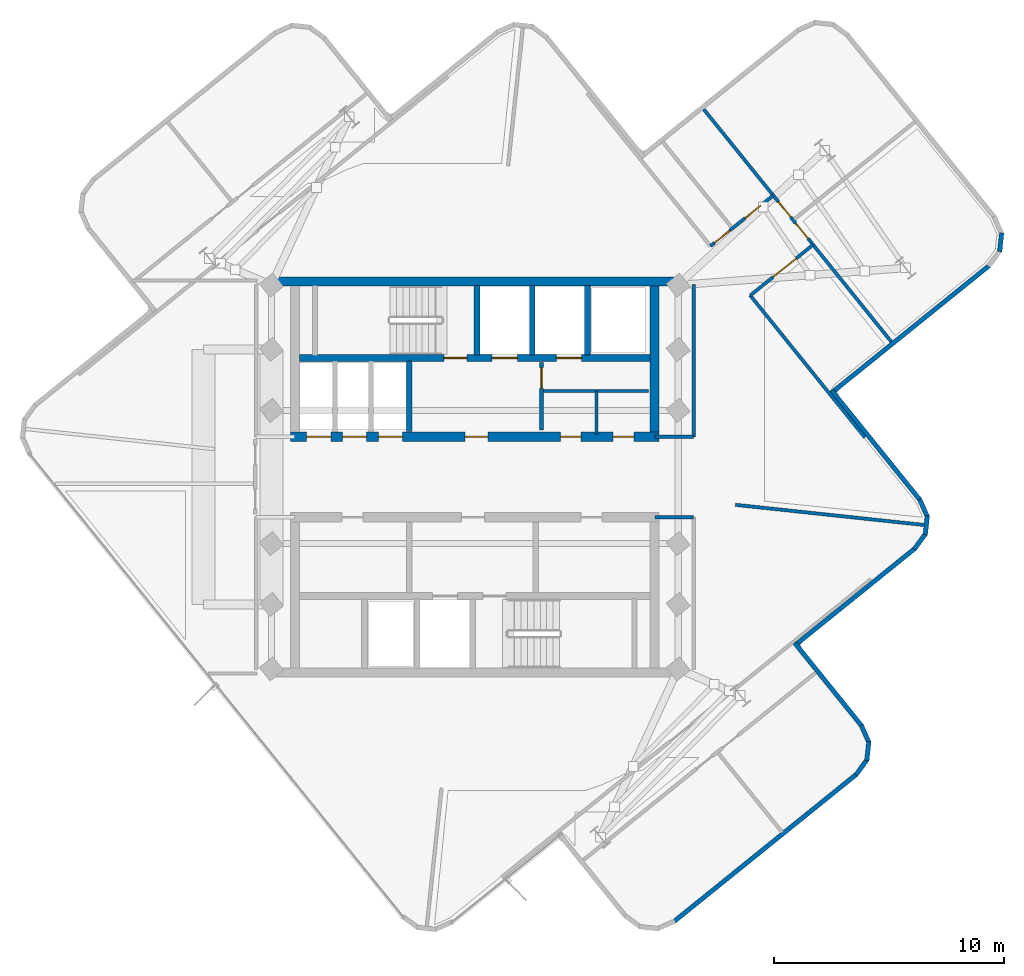
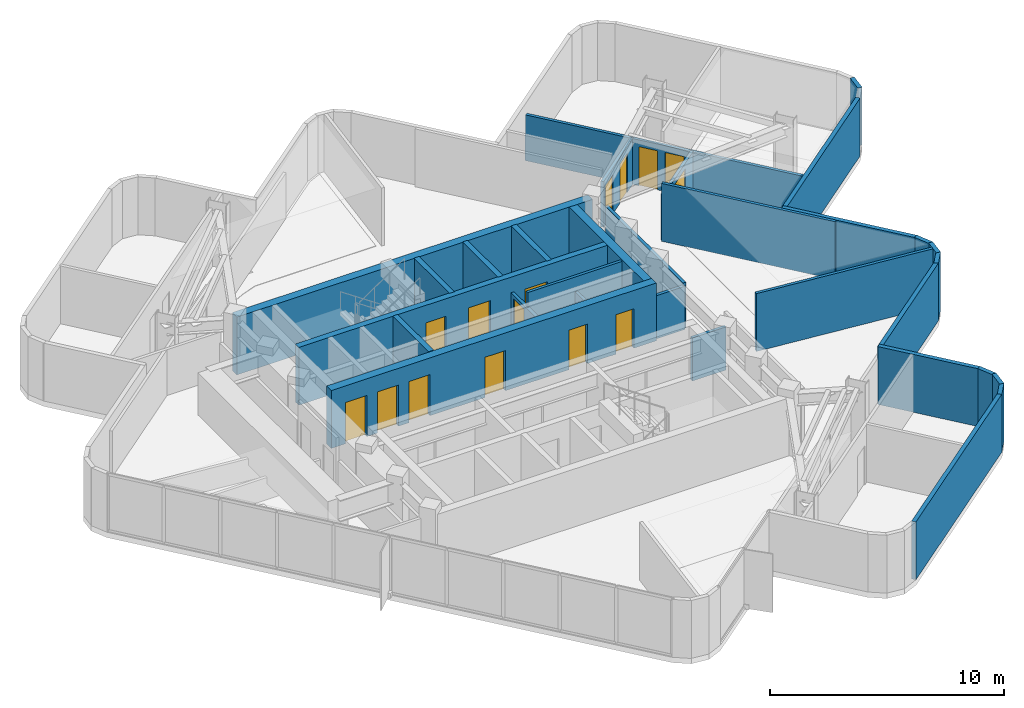
# One storey, part 6 of 9: 31 walls, 15 doors, 15 openings.
"""IFC4 building model written with IfcOpenShell, lengths in metres."""

from ifc_helpers import new_model, si_unit, direction, frame, frame_2d, origin, place, context, subcontext, project, spatial, rectangle, extrude, material, layer, layer_set, type_object, element, fill, save


model = new_model("IFC4")

# Units and contexts
model_context = context("Model", 3, precision=1e-05, world=origin(), true_north=direction((0.0, 1.0)))
body_context = subcontext(model_context, "Body", "Model", "MODEL_VIEW")
ifc_project = project(units=[si_unit("LENGTHUNIT", "METRE"), si_unit("AREAUNIT", "SQUARE_METRE"), si_unit("VOLUMEUNIT", "CUBIC_METRE"), si_unit("PLANEANGLEUNIT", "RADIAN"), si_unit("MASSUNIT", "GRAM", prefix="KILO")], contexts=[model_context])

# Site, building, storey
site_placement = place(None, origin())
site = spatial("IfcSite", under=ifc_project, at=site_placement, CompositionType="ELEMENT")
building_placement = place(site_placement, origin())
building = spatial("IfcBuilding", under=site, at=building_placement, Name="Solmarez Civic Tower", CompositionType="ELEMENT")
storey_placement = place(building_placement, frame((0.0, 0.0, 235.97998046875)))
storey = spatial("IfcBuildingStorey", under=building, at=storey_placement, Name="L63", CompositionType="ELEMENT", Elevation=235.97998046875)

# Wall
ifc_material_1 = material(Name="Concrete C50/60", Category="concrete")
ifc_layer_1 = layer(ifc_material_1, 0.39990234375)
ifc_layer_set_1 = layer_set([ifc_layer_1], Name="Concrete C50/60")
wall_type_1 = type_object("IfcWallType", Name="WALL-CORE-400", PredefinedType="SHEAR", material=ifc_layer_set_1)
wall_1_placement = place(storey_placement, frame((-8.780029296875, 8.510009765625, 0.0), z_axis=(0.0, 0.0, 1.0), x_axis=(1.0, 0.0, 0.0)))
element("IfcWall", 1, at=wall_1_placement, inside=storey, type_object=wall_type_1, Name="L63 Split-Core Structural Wall NCW-N-L63", PredefinedType="SHEAR", context=body_context, shape_type="SweptSolid", body=[
    extrude(rectangle(XDim=17.56005859375, YDim=0.39990234375, at=frame_2d((8.780029296875, 0.0))), origin(), (0.0, 0.0, 1.0), 3.02001953125),
])

# Wall, openings, doors
wall_2_placement = place(storey_placement, frame((8.02001953125, 1.75, 0.0), z_axis=(0.0, 0.0, 1.0), x_axis=(-1.0, 0.0, 0.0)))
wall_2 = element("IfcWall", 2, at=wall_2_placement, inside=storey, type_object=wall_type_1, Name="L63 Split-Core Structural Wall NCW-S-L63", PredefinedType="SHEAR", context=body_context, shape_type="SweptSolid", body=[
    extrude(rectangle(XDim=16.0400390625, YDim=0.39990234375, at=frame_2d((8.02001953125, 0.0))), origin(), (0.0, 0.0, 1.0), 3.02001953125),
])
opening_1_placement = place(wall_2_placement, frame((7.449951171875, 0.0, 0.0)))
opening_1 = element("IfcOpeningElement", 3, at=opening_1_placement, cuts=wall_2, Name="Opening D-04", PredefinedType="OPENING", context=body_context, shape_type="SweptSolid", body=[
    extrude(rectangle(XDim=1.0, YDim=2.10009765625, at=frame_2d((0.5, 1.050048828125))), frame((0.0, 0.2099609375, 0.0), z_axis=(0.0, -1.0, 0.0), x_axis=(1.0, 0.0, 0.0)), (0.0, 0.0, 1.0), 0.419921875),
])
opening_2_placement = place(wall_2_placement, frame((14.284912109375, 0.0, 0.0)))
opening_2 = element("IfcOpeningElement", 4, at=opening_2_placement, cuts=wall_2, Name="Opening LD-01", PredefinedType="OPENING", context=body_context, shape_type="SweptSolid", body=[
    extrude(rectangle(XDim=1.050048828125, YDim=2.14990234375, at=frame_2d((0.52490234375, 1.074951171875))), frame((0.0, 0.2099609375, 0.0), z_axis=(0.0, -1.0, 0.0), x_axis=(1.0, 0.0, 0.0)), (0.0, 0.0, 1.0), 0.419921875),
])
opening_3_placement = place(wall_2_placement, frame((12.72509765625, 0.0, 0.0)))
opening_3 = element("IfcOpeningElement", 5, at=opening_3_placement, cuts=wall_2, Name="Opening LD-01", PredefinedType="OPENING", context=body_context, shape_type="SweptSolid", body=[
    extrude(rectangle(XDim=1.050048828125, YDim=2.14990234375, at=frame_2d((0.52490234375, 1.074951171875))), frame((0.0, 0.2099609375, 0.0), z_axis=(0.0, -1.0, 0.0), x_axis=(1.0, 0.0, 0.0)), (0.0, 0.0, 1.0), 0.419921875),
])
opening_4_placement = place(wall_2_placement, frame((11.1650390625, 0.0, 0.0)))
opening_4 = element("IfcOpeningElement", 6, at=opening_4_placement, cuts=wall_2, Name="Opening LD-01", PredefinedType="OPENING", context=body_context, shape_type="SweptSolid", body=[
    extrude(rectangle(XDim=1.050048828125, YDim=2.14990234375, at=frame_2d((0.52490234375, 1.074951171875))), frame((0.0, 0.2099609375, 0.0), z_axis=(0.0, -1.0, 0.0), x_axis=(1.0, 0.0, 0.0)), (0.0, 0.0, 1.0), 0.419921875),
])
opening_5_placement = place(wall_2_placement, frame((3.39990234375, 0.0, 0.0)))
opening_5 = element("IfcOpeningElement", 7, at=opening_5_placement, cuts=wall_2, Name="Opening D-09", PredefinedType="OPENING", context=body_context, shape_type="SweptSolid", body=[
    extrude(rectangle(XDim=0.89990234375, YDim=2.06005859375, at=frame_2d((0.449951171875, 1.030029296875))), frame((0.0, 0.2099609375, 0.0), z_axis=(0.0, -1.0, 0.0), x_axis=(1.0, 0.0, 0.0)), (0.0, 0.0, 1.0), 0.419921875),
])
opening_6_placement = place(wall_2_placement, frame((1.10009765625, 0.0, 0.0)))
opening_6 = element("IfcOpeningElement", 8, at=opening_6_placement, cuts=wall_2, Name="Opening D-09", PredefinedType="OPENING", context=body_context, shape_type="SweptSolid", body=[
    extrude(rectangle(XDim=0.89990234375, YDim=2.06005859375, at=frame_2d((0.449951171875, 1.030029296875))), frame((0.0, 0.2099609375, 0.0), z_axis=(0.0, -1.0, 0.0), x_axis=(1.0, 0.0, 0.0)), (0.0, 0.0, 1.0), 0.419921875),
])
ifc_material_2 = material(Name="Steel-Faced Acoustic Fire Door", Category="steel")
door_type_1 = type_object("IfcDoorType", Name="DOOR-FD60-1000", OperationType="NOTDEFINED", PredefinedType="DOOR", material=ifc_material_2)
door_1_placement = place(opening_1_placement, origin())
door_1 = element("IfcDoor", 9, at=door_1_placement, inside=storey, type_object=door_type_1, Name="L63 North Firefighting Lobby Door", OperationType="SINGLE_SWING_RIGHT", OverallHeight=2.10009765625, OverallWidth=1.0, PredefinedType="DOOR", context=body_context, shape_type="SweptSolid", body=[
    extrude(rectangle(XDim=1.0, YDim=2.10009765625, at=frame_2d((0.5, 1.050048828125))), frame((0.0, 0.02490234375, 0.0), z_axis=(0.0, -1.0, 0.0), x_axis=(1.0, 0.0, 0.0)), (0.0, 0.0, 1.0), 0.050048828125),
])
fill(opening_1, door_1)
ifc_material_3 = material(Name="Fire-Rated Service Core Door", Category="wood")
door_type_2 = type_object("IfcDoorType", Name="DOOR-FD60-900", OperationType="NOTDEFINED", PredefinedType="DOOR", material=ifc_material_3)
door_2_placement = place(opening_5_placement, origin())
door_2 = element("IfcDoor", 10, at=door_2_placement, inside=storey, type_object=door_type_2, Name="L63 Core WC Door", OperationType="SINGLE_SWING_LEFT", OverallHeight=2.06005859375, OverallWidth=0.89990234375, PredefinedType="DOOR", context=body_context, shape_type="SweptSolid", body=[
    extrude(rectangle(XDim=0.89990234375, YDim=2.06005859375, at=frame_2d((0.449951171875, 1.030029296875))), frame((0.0, 0.02490234375, 0.0), z_axis=(0.0, -1.0, 0.0), x_axis=(1.0, 0.0, 0.0)), (0.0, 0.0, 1.0), 0.050048828125),
])
fill(opening_5, door_2)
door_3_placement = place(opening_6_placement, origin())
door_3 = element("IfcDoor", 11, at=door_3_placement, inside=storey, type_object=door_type_2, Name="L63 Core CL Door", OperationType="SINGLE_SWING_RIGHT", OverallHeight=2.06005859375, OverallWidth=0.89990234375, PredefinedType="DOOR", context=body_context, shape_type="SweptSolid", body=[
    extrude(rectangle(XDim=0.89990234375, YDim=2.06005859375, at=frame_2d((0.449951171875, 1.030029296875))), frame((0.0, 0.02490234375, 0.0), z_axis=(0.0, -1.0, 0.0), x_axis=(1.0, 0.0, 0.0)), (0.0, 0.0, 1.0), 0.050048828125),
])
fill(opening_6, door_3)
ifc_material_4 = material(Name="Bronze Passenger Lift Landing Sliding Door", Category="aluminium")
door_type_3 = type_object("IfcDoorType", Name="DOOR-LD-PAX-1050", OperationType="DOUBLE_DOOR_SLIDING", PredefinedType="DOOR", material=ifc_material_4)
door_4_placement = place(opening_2_placement, origin())
door_4 = element("IfcDoor", 12, at=door_4_placement, inside=storey, type_object=door_type_3, Name="L63 High-Rise Lift Landing Door PL-H1", OperationType="DOUBLE_DOOR_SLIDING", OverallHeight=2.14990234375, OverallWidth=1.050048828125, PredefinedType="DOOR", context=body_context, shape_type="SweptSolid", body=[
    extrude(rectangle(XDim=1.050048828125, YDim=2.14990234375, at=frame_2d((0.52490234375, 1.074951171875))), frame((0.0, 0.02490234375, 0.0), z_axis=(0.0, -1.0, 0.0), x_axis=(1.0, 0.0, 0.0)), (0.0, 0.0, 1.0), 0.050048828125),
])
fill(opening_2, door_4)
door_5_placement = place(opening_3_placement, origin())
door_5 = element("IfcDoor", 13, at=door_5_placement, inside=storey, type_object=door_type_3, Name="L63 High-Rise Lift Landing Door PL-H2", OperationType="DOUBLE_DOOR_SLIDING", OverallHeight=2.14990234375, OverallWidth=1.050048828125, PredefinedType="DOOR", context=body_context, shape_type="SweptSolid", body=[
    extrude(rectangle(XDim=1.050048828125, YDim=2.14990234375, at=frame_2d((0.52490234375, 1.074951171875))), frame((0.0, 0.02490234375, 0.0), z_axis=(0.0, -1.0, 0.0), x_axis=(1.0, 0.0, 0.0)), (0.0, 0.0, 1.0), 0.050048828125),
])
fill(opening_3, door_5)
door_6_placement = place(opening_4_placement, origin())
door_6 = element("IfcDoor", 14, at=door_6_placement, inside=storey, type_object=door_type_3, Name="L63 High-Rise Lift Landing Door PL-H3", OperationType="DOUBLE_DOOR_SLIDING", OverallHeight=2.14990234375, OverallWidth=1.050048828125, PredefinedType="DOOR", context=body_context, shape_type="SweptSolid", body=[
    extrude(rectangle(XDim=1.050048828125, YDim=2.14990234375, at=frame_2d((0.52490234375, 1.074951171875))), frame((0.0, 0.02490234375, 0.0), z_axis=(0.0, -1.0, 0.0), x_axis=(1.0, 0.0, 0.0)), (0.0, 0.0, 1.0), 0.050048828125),
])
fill(opening_4, door_6)

# Walls
wall_3_placement = place(storey_placement, frame((7.820068359375, 8.31005859375, 0.0), z_axis=(0.0, 0.0, 1.0), x_axis=(0.0, -1.0, 0.0)))
element("IfcWall", 15, at=wall_3_placement, inside=storey, type_object=wall_type_1, Name="L63 Split-Core Structural Wall NCW-E-L63", PredefinedType="SHEAR", context=body_context, shape_type="SweptSolid", body=[
    extrude(rectangle(XDim=6.360107421875, YDim=0.39990234375, at=frame_2d((3.18017578125, 0.0))), origin(), (0.0, 0.0, 1.0), 3.02001953125),
])
ifc_material_5 = material(Name="Precast concrete C40/50", Category="concrete")
ifc_layer_2 = layer(ifc_material_5, 0.199951171875)
ifc_layer_set_2 = layer_set([ifc_layer_2], Name="Precast concrete C40/50")
wall_type_2 = type_object("IfcWallType", Name="WALL-EXT-200", PredefinedType="SOLIDWALL", material=ifc_layer_set_2)
wall_4_placement = place(storey_placement, frame((22.927978515625, 10.623046875, 0.0), z_axis=(0.0, 0.0, 1.0), x_axis=(-0.107734860634, -0.994179661733, 0.0)))
element("IfcWall", 16, at=wall_4_placement, inside=storey, type_object=wall_type_2, Name="L63 Exterior Precast Wall 37", PredefinedType="SOLIDWALL", context=body_context, shape_type="SweptSolid", body=[
    extrude(rectangle(XDim=0.824951171875, YDim=0.199951171875, at=frame_2d((0.41259765625, 0.0))), origin(), (0.0, 0.0, 1.0), 3.02001953125),
])
wall_5_placement = place(storey_placement, frame((22.39697265625, 9.20703125, 0.0), z_axis=(0.0, 0.0, 1.0), x_axis=(-0.778197552188, -0.628019561613, 0.0)))
element("IfcWall", 17, at=wall_5_placement, inside=storey, type_object=wall_type_2, Name="L63 Exterior Precast Wall 39", PredefinedType="SOLIDWALL", context=body_context, shape_type="SweptSolid", body=[
    extrude(rectangle(XDim=8.842041015625, YDim=0.199951171875, at=frame_2d((4.4208984375, 0.0))), origin(), (0.0, 0.0, 1.0), 3.02001953125),
])
wall_6_placement = place(storey_placement, frame((15.528076171875, 3.76611328125, 0.0), z_axis=(0.0, 0.0, 1.0), x_axis=(0.62803447323, -0.778185518007, 0.0)))
element("IfcWall", 18, at=wall_6_placement, inside=storey, type_object=wall_type_2, Name="L63 Exterior Precast Wall 42", PredefinedType="SOLIDWALL", context=body_context, shape_type="SweptSolid", body=[
    extrude(rectangle(XDim=6.141357421875, YDim=0.199951171875, at=frame_2d((3.07080078125, 0.0))), origin(), (0.0, 0.0, 1.0), 3.02001953125),
])
wall_7_placement = place(storey_placement, frame((19.35888671875, -0.970947265625, 0.0), z_axis=(0.0, 0.0, 1.0), x_axis=(0.405301422885, -0.914183108905, 0.0)))
element("IfcWall", 19, at=wall_7_placement, inside=storey, type_object=wall_type_2, Name="L63 Exterior Precast Wall 43", PredefinedType="SOLIDWALL", context=body_context, shape_type="SweptSolid", body=[
    extrude(rectangle(XDim=0.839111328125, YDim=0.199951171875, at=frame_2d((0.41943359375, 0.0))), origin(), (0.0, 0.0, 1.0), 3.02001953125),
])
wall_8_placement = place(storey_placement, frame((19.69189453125, -1.68994140625, 0.0), z_axis=(0.0, 0.0, 1.0), x_axis=(-0.10656447925, -0.994305793889, 0.0)))
element("IfcWall", 20, at=wall_8_placement, inside=storey, type_object=wall_type_2, Name="L63 Exterior Precast Wall 44", PredefinedType="SOLIDWALL", context=body_context, shape_type="SweptSolid", body=[
    extrude(rectangle(XDim=0.82470703125, YDim=0.199951171875, at=frame_2d((0.412353515625, 0.0))), origin(), (0.0, 0.0, 1.0), 3.02001953125),
])
wall_9_placement = place(storey_placement, frame((19.6220703125, -2.465087890625, 0.0), z_axis=(0.0, 0.0, 1.0), x_axis=(-0.590315771763, -0.807172403894, 0.0)))
element("IfcWall", 21, at=wall_9_placement, inside=storey, type_object=wall_type_2, Name="L63 Exterior Precast Wall 45", PredefinedType="SOLIDWALL", context=body_context, shape_type="SweptSolid", body=[
    extrude(rectangle(XDim=0.838623046875, YDim=0.199951171875, at=frame_2d((0.41943359375, 0.0))), origin(), (0.0, 0.0, 1.0), 3.02001953125),
])
wall_10_placement = place(storey_placement, frame((19.160888671875, -3.10595703125, 0.0), z_axis=(0.0, 0.0, 1.0), x_axis=(-0.778151520732, -0.62807659627, 0.0)))
element("IfcWall", 22, at=wall_10_placement, inside=storey, type_object=wall_type_2, Name="L63 Exterior Precast Wall 46", PredefinedType="SOLIDWALL", context=body_context, shape_type="SweptSolid", body=[
    extrude(rectangle(XDim=6.741455078125, YDim=0.199951171875, at=frame_2d((3.37060546875, 0.0))), origin(), (0.0, 0.0, 1.0), 3.02001953125),
])
wall_11_placement = place(storey_placement, frame((13.927001953125, -7.22802734375, 0.0), z_axis=(0.0, 0.0, 1.0), x_axis=(0.628127692416, -0.778110276259, 0.0)))
element("IfcWall", 23, at=wall_11_placement, inside=storey, type_object=wall_type_2, Name="L63 Exterior Precast Wall 49", PredefinedType="SOLIDWALL", context=body_context, shape_type="SweptSolid", body=[
    extrude(rectangle(XDim=4.640869140625, YDim=0.199951171875, at=frame_2d((2.3203125, 0.0))), origin(), (0.0, 0.0, 1.0), 3.02001953125),
])
wall_12_placement = place(storey_placement, frame((16.81591796875, -10.797119140625, 0.0), z_axis=(0.0, 0.0, 1.0), x_axis=(0.404435765222, -0.914566406451, 0.0)))
element("IfcWall", 24, at=wall_12_placement, inside=storey, type_object=wall_type_2, Name="L63 Exterior Precast Wall 50", PredefinedType="SOLIDWALL", context=body_context, shape_type="SweptSolid", body=[
    extrude(rectangle(XDim=0.83837890625, YDim=0.199951171875, at=frame_2d((0.419189453125, 0.0))), origin(), (0.0, 0.0, 1.0), 3.02001953125),
])
wall_13_placement = place(storey_placement, frame((17.14794921875, -11.51611328125, 0.0), z_axis=(0.0, 0.0, 1.0), x_axis=(-0.106595853222, -0.994302430891, 0.0)))
element("IfcWall", 25, at=wall_13_placement, inside=storey, type_object=wall_type_2, Name="L63 Exterior Precast Wall 51", PredefinedType="SOLIDWALL", context=body_context, shape_type="SweptSolid", body=[
    extrude(rectangle(XDim=0.824462890625, YDim=0.199951171875, at=frame_2d((0.412109375, 0.0))), origin(), (0.0, 0.0, 1.0), 3.02001953125),
])
wall_14_placement = place(storey_placement, frame((17.077880859375, -12.291015625, 0.0), z_axis=(0.0, 0.0, 1.0), x_axis=(-0.589366307287, -0.807865926893, 0.0)))
element("IfcWall", 26, at=wall_14_placement, inside=storey, type_object=wall_type_2, Name="L63 Exterior Precast Wall 52", PredefinedType="SOLIDWALL", context=body_context, shape_type="SweptSolid", body=[
    extrude(rectangle(XDim=0.838134765625, YDim=0.199951171875, at=frame_2d((0.4189453125, 0.0))), origin(), (0.0, 0.0, 1.0), 3.02001953125),
])
wall_15_placement = place(storey_placement, frame((16.617919921875, -12.931884765625, 0.0), z_axis=(0.0, 0.0, 1.0), x_axis=(-0.778166052264, -0.628058592095, 0.0)))
element("IfcWall", 27, at=wall_15_placement, inside=storey, type_object=wall_type_2, Name="L63 Exterior Precast Wall 53", PredefinedType="SOLIDWALL", context=body_context, shape_type="SweptSolid", body=[
    extrude(rectangle(XDim=10.223876953125, YDim=0.199951171875, at=frame_2d((5.11181640625, 0.0))), origin(), (0.0, 0.0, 1.0), 3.02001953125),
])
ifc_material_6 = material(Name="Gypsum Board Acoustic Steel-Stud Partition", Category="steel")
ifc_layer_3 = layer(ifc_material_6, 0.14990234375)
ifc_layer_set_3 = layer_set([ifc_layer_3], Name="Gypsum Board Acoustic Steel-Stud Partition")
wall_type_3 = type_object("IfcWallType", Name="WALL-INT-FIRE-150", PredefinedType="PARTITIONING", material=ifc_layer_set_3)
wall_16_placement = place(storey_placement, frame((9.52001953125, 1.75, 0.0), z_axis=(0.0, 0.0, 1.0), x_axis=(0.0, 1.0, 0.0)))
element("IfcWall", 28, at=wall_16_placement, inside=storey, type_object=wall_type_3, Name="L63 Interior Partition CHW-L63-EN1", PredefinedType="PARTITIONING", context=body_context, shape_type="SweptSolid", body=[
    extrude(rectangle(XDim=6.6298828125, YDim=0.14990234375, at=frame_2d((3.31494140625, 0.0))), origin(), (0.0, 0.0, 1.0), 2.39013671875),
])
for number, where, z_axis, x_axis, name in (
    (29, (7.85009765625, 1.75, 0.0), (0.0, 0.0, 1.0), (1.0, 0.0, 0.0), "L63 Interior Partition CHW-L63-EN3"),
    (30, (7.85009765625, -1.75, 0.0), (0.0, 0.0, 1.0), (1.0, 0.0, 0.0), "L63 Interior Partition CHW-L63-ES3"),
):
    element("IfcWall", number, at=place(storey_placement, frame(where, z_axis=z_axis, x_axis=x_axis)), inside=storey, type_object=wall_type_3, Name=name, PredefinedType="PARTITIONING", context=body_context, shape_type="SweptSolid", body=[
        extrude(rectangle(XDim=1.669921875, YDim=0.14990234375, at=frame_2d((0.8349609375, 0.0))), origin(), (0.0, 0.0, 1.0), 2.25),
    ])
ifc_layer_4 = layer(ifc_material_6, 0.14501953125)
ifc_layer_set_4 = layer_set([ifc_layer_4], Name="Gypsum Board Acoustic Steel-Stud Partition")
wall_type_4 = type_object("IfcWallType", Name="WALL-INT-PART-150", PredefinedType="PARTITIONING", material=ifc_layer_set_4)
wall_17_placement = place(storey_placement, frame((11.3349609375, -1.2109375, 0.0), z_axis=(0.0, 0.0, 1.0), x_axis=(0.994330067434, -0.106337749634, 0.0)))
element("IfcWall", 31, at=wall_17_placement, inside=storey, type_object=wall_type_4, Name="L63 Interior Partition PT-L63-QDIV-4", PredefinedType="PARTITIONING", context=body_context, shape_type="SweptSolid", body=[
    extrude(rectangle(XDim=8.295166015625, YDim=0.14501953125, at=frame_2d((4.1474609375, 0.0))), origin(), (0.0, 0.0, 1.0), 3.02001953125),
])
wall_18_placement = place(storey_placement, frame((16.97412109375, 1.720947265625, 0.0), z_axis=(0.0, 0.0, 1.0), x_axis=(-0.62808974226, 0.778140909905, 0.0)))
element("IfcWall", 32, at=wall_18_placement, inside=storey, type_object=wall_type_4, Name="L63 Interior Partition PT-L63-E-EFR", PredefinedType="PARTITIONING", context=body_context, shape_type="SweptSolid", body=[
    extrude(rectangle(XDim=7.94970703125, YDim=0.14501953125, at=frame_2d((3.974853515625, 0.0))), origin(), (0.0, 0.0, 1.0), 3.02001953125),
])

# Wall, openings, doors
wall_19_placement = place(storey_placement, frame((12.986083984375, 12.251953125, 0.0), z_axis=(0.0, 0.0, 1.0), x_axis=(-0.778235364872, -0.627972703915, 0.0)))
wall_19 = element("IfcWall", 33, at=wall_19_placement, inside=storey, type_object=wall_type_4, Name="L63 Interior Partition PT-L63-E-SL", PredefinedType="PARTITIONING", context=body_context, shape_type="SweptSolid", body=[
    extrude(rectangle(XDim=3.509521484375, YDim=0.14501953125, at=frame_2d((1.7548828125, 0.0))), origin(), (0.0, 0.0, 1.0), 2.39013671875),
])
opening_7_placement = place(wall_19_placement, frame((2.428955078125, 0.0, 0.0)))
opening_7 = element("IfcOpeningElement", 34, at=opening_7_placement, cuts=wall_19, Name="Opening D-14", PredefinedType="OPENING", context=body_context, shape_type="SweptSolid", body=[
    extrude(rectangle(XDim=0.860107421875, YDim=2.0400390625, at=frame_2d((0.43017578125, 1.02001953125))), frame((0.0, 0.08251953125, 0.0), z_axis=(0.0, -1.0, 0.0), x_axis=(1.0, 0.0, 0.0)), (0.0, 0.0, 1.0), 0.1650390625),
])
opening_8_placement = place(wall_19_placement, frame((0.708984375, 0.0, 0.0)))
opening_8 = element("IfcOpeningElement", 35, at=opening_8_placement, cuts=wall_19, Name="Opening D-14", PredefinedType="OPENING", context=body_context, shape_type="SweptSolid", body=[
    extrude(rectangle(XDim=0.860107421875, YDim=2.0400390625, at=frame_2d((0.43017578125, 1.02001953125))), frame((0.0, 0.08251953125, 0.0), z_axis=(0.0, -1.0, 0.0), x_axis=(1.0, 0.0, 0.0)), (0.0, 0.0, 1.0), 0.1650390625),
])
ifc_material_7 = material(Name="Timber Storage and Pantry Door", Category="wood")
door_type_4 = type_object("IfcDoorType", Name="DOOR-INT-850", OperationType="NOTDEFINED", PredefinedType="DOOR", material=ifc_material_7)
door_7_placement = place(opening_7_placement, origin())
door_7 = element("IfcDoor", 36, at=door_7_placement, inside=storey, type_object=door_type_4, Name="L63 Staff Dining Canteen First East Door", OperationType="SINGLE_SWING_LEFT", OverallHeight=2.0400390625, OverallWidth=0.860107421875, PredefinedType="DOOR", context=body_context, shape_type="SweptSolid", body=[
    extrude(rectangle(XDim=0.860107421875, YDim=2.0400390625, at=frame_2d((0.43017578125, 1.02001953125))), frame((0.0, 0.02490234375, 0.0), z_axis=(0.0, -1.0, 0.0), x_axis=(1.0, 0.0, 0.0)), (0.0, 0.0, 1.0), 0.050048828125),
])
fill(opening_7, door_7)
door_8_placement = place(opening_8_placement, origin())
door_8 = element("IfcDoor", 37, at=door_8_placement, inside=storey, type_object=door_type_4, Name="L63 Catering Servery Second East Door", OperationType="SINGLE_SWING_RIGHT", OverallHeight=2.0400390625, OverallWidth=0.860107421875, PredefinedType="DOOR", context=body_context, shape_type="SweptSolid", body=[
    extrude(rectangle(XDim=0.860107421875, YDim=2.0400390625, at=frame_2d((0.43017578125, 1.02001953125))), frame((0.0, 0.02490234375, 0.0), z_axis=(0.0, -1.0, 0.0), x_axis=(1.0, 0.0, 0.0)), (0.0, 0.0, 1.0), 0.050048828125),
])
fill(opening_8, door_8)

# Wall, opening, door
wall_20_placement = place(storey_placement, frame((11.988037109375, 7.89990234375, 0.0), z_axis=(0.0, 0.0, 1.0), x_axis=(0.778173929493, 0.628048832064, 0.0)))
wall_20 = element("IfcWall", 38, at=wall_20_placement, inside=storey, type_object=wall_type_4, Name="L63 Interior Partition PT-L63-E-SR", PredefinedType="PARTITIONING", context=body_context, shape_type="SweptSolid", body=[
    extrude(rectangle(XDim=3.509521484375, YDim=0.14501953125, at=frame_2d((1.7548828125, 0.0))), origin(), (0.0, 0.0, 1.0), 2.39013671875),
])
opening_9_placement = place(wall_20_placement, frame((1.27490234375, 0.0, 0.0)))
opening_9 = element("IfcOpeningElement", 39, at=opening_9_placement, cuts=wall_20, Name="Opening D-15", PredefinedType="OPENING", context=body_context, shape_type="SweptSolid", body=[
    extrude(rectangle(XDim=1.300048828125, YDim=2.10009765625, at=frame_2d((0.64990234375, 1.050048828125))), frame((0.0, 0.08251953125, 0.0), z_axis=(0.0, -1.0, 0.0), x_axis=(1.0, 0.0, 0.0)), (0.0, 0.0, 1.0), 0.1650390625),
])
ifc_material_8 = material(Name="Tribunal Hearing Conference Door", Category="wood")
door_type_5 = type_object("IfcDoorType", Name="DOOR-INT-1300", OperationType="NOTDEFINED", PredefinedType="DOOR", material=ifc_material_8)
door_9_placement = place(opening_9_placement, origin())
door_9 = element("IfcDoor", 40, at=door_9_placement, inside=storey, type_object=door_type_5, Name="L63 Delegates Sitting Lounge Third East Door", OperationType="SINGLE_SWING_RIGHT", OverallHeight=2.10009765625, OverallWidth=1.300048828125, PredefinedType="DOOR", context=body_context, shape_type="SweptSolid", body=[
    extrude(rectangle(XDim=1.300048828125, YDim=2.10009765625, at=frame_2d((0.64990234375, 1.050048828125))), frame((0.0, 0.02490234375, 0.0), z_axis=(0.0, -1.0, 0.0), x_axis=(1.0, 0.0, 0.0)), (0.0, 0.0, 1.0), 0.050048828125),
])
fill(opening_9, door_9)

# Wall, openings, doors
wall_21_placement = place(storey_placement, frame((9.93798828125, 16.030029296875, 0.0), z_axis=(0.0, 0.0, 1.0), x_axis=(0.62792440114, -0.778274338812, 0.0)))
wall_21 = element("IfcWall", 41, at=wall_21_placement, inside=storey, type_object=wall_type_4, Name="L63 Interior Partition PT-L63-E-END", PredefinedType="PARTITIONING", context=body_context, shape_type="SweptSolid", body=[
    extrude(rectangle(XDim=13.070068359375, YDim=0.14501953125, at=frame_2d((6.53515625, 0.0))), origin(), (0.0, 0.0, 1.0), 2.39013671875),
])
opening_10_placement = place(wall_21_placement, frame((6.405029296875, 0.0, 0.0)))
opening_10 = element("IfcOpeningElement", 42, at=opening_10_placement, cuts=wall_21, Name="Opening D-14", PredefinedType="OPENING", context=body_context, shape_type="SweptSolid", body=[
    extrude(rectangle(XDim=0.860107421875, YDim=2.0400390625, at=frame_2d((0.43017578125, 1.02001953125))), frame((0.0, 0.08251953125, 0.0), z_axis=(0.0, -1.0, 0.0), x_axis=(1.0, 0.0, 0.0)), (0.0, 0.0, 1.0), 0.1650390625),
])
opening_11_placement = place(wall_21_placement, frame((5.205078125, 0.0, 0.0)))
opening_11 = element("IfcOpeningElement", 43, at=opening_11_placement, cuts=wall_21, Name="Opening D-14", PredefinedType="OPENING", context=body_context, shape_type="SweptSolid", body=[
    extrude(rectangle(XDim=0.860107421875, YDim=2.0400390625, at=frame_2d((0.43017578125, 1.02001953125))), frame((0.0, 0.08251953125, 0.0), z_axis=(0.0, -1.0, 0.0), x_axis=(1.0, 0.0, 0.0)), (0.0, 0.0, 1.0), 0.1650390625),
])
door_10_placement = place(opening_10_placement, origin())
door_10 = element("IfcDoor", 44, at=door_10_placement, inside=storey, type_object=door_type_4, Name="L63 Civic Multi-Purpose Room Sixth East Door", OperationType="SINGLE_SWING_RIGHT", OverallHeight=2.0400390625, OverallWidth=0.860107421875, PredefinedType="DOOR", context=body_context, shape_type="SweptSolid", body=[
    extrude(rectangle(XDim=0.860107421875, YDim=2.0400390625, at=frame_2d((0.43017578125, 1.02001953125))), frame((0.0, 0.02490234375, 0.0), z_axis=(0.0, -1.0, 0.0), x_axis=(1.0, 0.0, 0.0)), (0.0, 0.0, 1.0), 0.050048828125),
])
fill(opening_10, door_10)
door_11_placement = place(opening_11_placement, origin())
door_11 = element("IfcDoor", 45, at=door_11_placement, inside=storey, type_object=door_type_4, Name="L63 Delegates Sitting Lounge Fifth East Door", OperationType="SINGLE_SWING_LEFT", OverallHeight=2.0400390625, OverallWidth=0.860107421875, PredefinedType="DOOR", context=body_context, shape_type="SweptSolid", body=[
    extrude(rectangle(XDim=0.860107421875, YDim=2.0400390625, at=frame_2d((0.43017578125, 1.02001953125))), frame((0.0, 0.02490234375, 0.0), z_axis=(0.0, -1.0, 0.0), x_axis=(1.0, 0.0, 0.0)), (0.0, 0.0, 1.0), 0.050048828125),
])
fill(opening_11, door_11)

# Wall, opening, door
ifc_layer_5 = layer(ifc_material_6, 0.159912109375)
ifc_layer_set_5 = layer_set([ifc_layer_5], Name="Gypsum Board Acoustic Steel-Stud Partition")
wall_type_5 = type_object("IfcWallType", Name="WALL-INT-SHAFT-160", PredefinedType="PARTITIONING", material=ifc_layer_set_5)
wall_22_placement = place(storey_placement, frame((2.89990234375, 2.0400390625, 0.0), z_axis=(0.0, 0.0, 1.0), x_axis=(0.0, 1.0, 0.0)))
wall_22 = element("IfcWall", 46, at=wall_22_placement, inside=storey, type_object=wall_type_5, Name="L63 Interior Partition SHW-NL2-L63", PredefinedType="PARTITIONING", context=body_context, shape_type="SweptSolid", body=[
    extrude(rectangle(XDim=2.93994140625, YDim=0.159912109375, at=frame_2d((1.469970703125, 0.0))), origin(), (0.0, 0.0, 1.0), 2.25),
])
opening_12_placement = place(wall_22_placement, frame((1.820068359375, 0.0, 0.0)))
opening_12 = element("IfcOpeningElement", 47, at=opening_12_placement, cuts=wall_22, Name="Opening D-09", PredefinedType="OPENING", context=body_context, shape_type="SweptSolid", body=[
    extrude(rectangle(XDim=0.89990234375, YDim=2.06005859375, at=frame_2d((0.449951171875, 1.030029296875))), frame((0.0, 0.08984375, 0.0), z_axis=(0.0, -1.0, 0.0), x_axis=(1.0, 0.0, 0.0)), (0.0, 0.0, 1.0), 0.179931640625),
])
door_12_placement = place(opening_12_placement, origin())
door_12 = element("IfcDoor", 48, at=door_12_placement, inside=storey, type_object=door_type_2, Name="L63 Service Lift Lobby Door", OperationType="SINGLE_SWING_LEFT", OverallHeight=2.06005859375, OverallWidth=0.89990234375, PredefinedType="DOOR", context=body_context, shape_type="SweptSolid", body=[
    extrude(rectangle(XDim=0.89990234375, YDim=2.06005859375, at=frame_2d((0.449951171875, 1.030029296875))), frame((0.0, 0.02490234375, 0.0), z_axis=(0.0, -1.0, 0.0), x_axis=(1.0, 0.0, 0.0)), (0.0, 0.0, 1.0), 0.050048828125),
])
fill(opening_12, door_12)

# Walls
ifc_layer_6 = layer(ifc_material_6, 0.137939453125)
ifc_layer_set_6 = layer_set([ifc_layer_6], Name="Gypsum Board Acoustic Steel-Stud Partition")
wall_type_6 = type_object("IfcWallType", Name="WALL-INT-WET-140", PredefinedType="PARTITIONING", material=ifc_layer_set_6)
wall_23_placement = place(storey_placement, frame((2.89990234375, 3.739990234375, 0.0), z_axis=(0.0, 0.0, 1.0), x_axis=(1.0, 0.0, 0.0)))
element("IfcWall", 49, at=wall_23_placement, inside=storey, type_object=wall_type_6, Name="L63 Interior Partition SHW-SVH-L63", PredefinedType="PARTITIONING", context=body_context, shape_type="SweptSolid", body=[
    extrude(rectangle(XDim=4.650146484375, YDim=0.137939453125, at=frame_2d((2.3251953125, 0.0))), origin(), (0.0, 0.0, 1.0), 3.02001953125),
])
wall_24_placement = place(storey_placement, frame((5.300048828125, 1.85009765625, 0.0), z_axis=(0.0, 0.0, 1.0), x_axis=(0.0, 1.0, 0.0)))
element("IfcWall", 50, at=wall_24_placement, inside=storey, type_object=wall_type_6, Name="L63 Interior Partition PT-NCSV-L63", PredefinedType="PARTITIONING", context=body_context, shape_type="SweptSolid", body=[
    extrude(rectangle(XDim=1.889892578125, YDim=0.137939453125, at=frame_2d((0.94482421875, 0.0))), origin(), (0.0, 0.0, 1.0), 2.25),
])

# Wall, openings, doors
ifc_layer_7 = layer(ifc_material_1, 0.300048828125)
ifc_layer_set_7 = layer_set([ifc_layer_7], Name="Concrete C50/60")
wall_type_7 = type_object("IfcWallType", Name="WALL-STR-300", PredefinedType="SOLIDWALL", material=ifc_layer_set_7)
wall_25_placement = place(storey_placement, frame((7.6201171875, 5.179931640625, 0.0), z_axis=(0.0, 0.0, 1.0), x_axis=(-1.0, 0.0, 0.0)))
wall_25 = element("IfcWall", 51, at=wall_25_placement, inside=storey, type_object=wall_type_7, Name="L63 Split-Core Structural Wall NCW-M-L63", PredefinedType="SOLIDWALL", context=body_context, shape_type="SweptSolid", body=[
    extrude(rectangle(XDim=15.240234375, YDim=0.300048828125, at=frame_2d((7.6201171875, 0.0))), origin(), (0.0, 0.0, 1.0), 3.02001953125),
])
opening_13_placement = place(wall_25_placement, frame((5.77001953125, 0.0, 0.0)))
opening_13 = element("IfcOpeningElement", 52, at=opening_13_placement, cuts=wall_25, Name="Opening LD-02", PredefinedType="OPENING", context=body_context, shape_type="SweptSolid", body=[
    extrude(rectangle(XDim=1.10009765625, YDim=2.14990234375, at=frame_2d((0.550048828125, 1.074951171875))), frame((0.0, 0.159912109375, 0.0), z_axis=(0.0, -1.0, 0.0), x_axis=(1.0, 0.0, 0.0)), (0.0, 0.0, 1.0), 0.320068359375),
])
opening_14_placement = place(wall_25_placement, frame((2.969970703125, 0.0, 0.0)))
opening_14 = element("IfcOpeningElement", 53, at=opening_14_placement, cuts=wall_25, Name="Opening LD-03", PredefinedType="OPENING", context=body_context, shape_type="SweptSolid", body=[
    extrude(rectangle(XDim=1.10009765625, YDim=2.14990234375, at=frame_2d((0.550048828125, 1.074951171875))), frame((0.0, 0.159912109375, 0.0), z_axis=(0.0, -1.0, 0.0), x_axis=(1.0, 0.0, 0.0)), (0.0, 0.0, 1.0), 0.320068359375),
])
opening_15_placement = place(wall_25_placement, frame((7.969970703125, 0.0, 0.0)))
opening_15 = element("IfcOpeningElement", 54, at=opening_15_placement, cuts=wall_25, Name="Opening D-05", PredefinedType="OPENING", context=body_context, shape_type="SweptSolid", body=[
    extrude(rectangle(XDim=1.0, YDim=2.10009765625, at=frame_2d((0.5, 1.050048828125))), frame((0.0, 0.159912109375, 0.0), z_axis=(0.0, -1.0, 0.0), x_axis=(1.0, 0.0, 0.0)), (0.0, 0.0, 1.0), 0.320068359375),
])
ifc_material_9 = material(Name="Fire-Rated Stairwell Exit Door", Category="wood")
door_type_6 = type_object("IfcDoorType", Name="DOOR-FD90-1000", OperationType="NOTDEFINED", PredefinedType="DOOR", material=ifc_material_9)
door_13_placement = place(opening_15_placement, origin())
door_13 = element("IfcDoor", 55, at=door_13_placement, inside=storey, type_object=door_type_6, Name="L63 North Exit Stair Door ST-1", OperationType="SINGLE_SWING_RIGHT", OverallHeight=2.10009765625, OverallWidth=1.0, PredefinedType="DOOR", context=body_context, shape_type="SweptSolid", body=[
    extrude(rectangle(XDim=1.0, YDim=2.10009765625, at=frame_2d((0.5, 1.050048828125))), frame((0.0, 0.02490234375, 0.0), z_axis=(0.0, -1.0, 0.0), x_axis=(1.0, 0.0, 0.0)), (0.0, 0.0, 1.0), 0.050048828125),
])
fill(opening_15, door_13)
ifc_material_10 = material(Name="Stainless Firefighting Lift Landing Sliding Door", Category="aluminium")
door_type_7 = type_object("IfcDoorType", Name="DOOR-LD-FF-1100", OperationType="DOUBLE_DOOR_SLIDING", PredefinedType="DOOR", material=ifc_material_10)
door_14_placement = place(opening_13_placement, origin())
door_14 = element("IfcDoor", 56, at=door_14_placement, inside=storey, type_object=door_type_7, Name="L63 Firefighting Lift Landing Door FFL-1", OperationType="DOUBLE_DOOR_SLIDING", OverallHeight=2.14990234375, OverallWidth=1.10009765625, PredefinedType="DOOR", context=body_context, shape_type="SweptSolid", body=[
    extrude(rectangle(XDim=1.10009765625, YDim=2.14990234375, at=frame_2d((0.550048828125, 1.074951171875))), frame((0.0, 0.02490234375, 0.0), z_axis=(0.0, -1.0, 0.0), x_axis=(1.0, 0.0, 0.0)), (0.0, 0.0, 1.0), 0.050048828125),
])
fill(opening_13, door_14)
ifc_material_11 = material(Name="Stainless Stretcher Lift Landing Sliding Door", Category="aluminium")
door_type_8 = type_object("IfcDoorType", Name="DOOR-LD-SV-1100", OperationType="DOUBLE_DOOR_SLIDING", PredefinedType="DOOR", material=ifc_material_11)
door_15_placement = place(opening_14_placement, origin())
door_15 = element("IfcDoor", 57, at=door_15_placement, inside=storey, type_object=door_type_8, Name="L63 Service Stretcher Lift Landing Door SVL-1", OperationType="DOUBLE_DOOR_SLIDING", OverallHeight=2.14990234375, OverallWidth=1.10009765625, PredefinedType="DOOR", context=body_context, shape_type="SweptSolid", body=[
    extrude(rectangle(XDim=1.10009765625, YDim=2.14990234375, at=frame_2d((0.550048828125, 1.074951171875))), frame((0.0, 0.02490234375, 0.0), z_axis=(0.0, -1.0, 0.0), x_axis=(1.0, 0.0, 0.0)), (0.0, 0.0, 1.0), 0.050048828125),
])
fill(opening_14, door_15)

# Walls
for number, where, z_axis, x_axis, name in (
    (58, (0.10009765625, 5.300048828125, 0.0), (0.0, 0.0, 1.0), (0.0, 1.0, 0.0), "L63 Split-Core Structural Wall SHW-N1-L63"),
    (59, (2.5, 5.300048828125, 0.0), (0.0, 0.0, 1.0), (0.0, 1.0, 0.0), "L63 Split-Core Structural Wall SHW-N2-L63"),
    (60, (4.89990234375, 5.300048828125, 0.0), (0.0, 0.0, 1.0), (0.0, 1.0, 0.0), "L63 Split-Core Structural Wall SHW-N3-L63"),
):
    element("IfcWall", number, at=place(storey_placement, frame(where, z_axis=z_axis, x_axis=x_axis)), inside=storey, type_object=wall_type_7, Name=name, PredefinedType="SOLIDWALL", context=body_context, shape_type="SweptSolid", body=[
        extrude(rectangle(XDim=3.0400390625, YDim=0.25, at=frame_2d((1.52001953125, 0.0))), origin(), (0.0, 0.0, 1.0), 3.02001953125),
    ])
wall_26_placement = place(storey_placement, frame((-2.85009765625, 1.97998046875, 0.0), z_axis=(0.0, 0.0, 1.0), x_axis=(0.0, 1.0, 0.0)))
element("IfcWall", 61, at=wall_26_placement, inside=storey, type_object=wall_type_7, Name="L63 Split-Core Structural Wall SHW-NL1-L63", PredefinedType="SOLIDWALL", context=body_context, shape_type="SweptSolid", body=[
    extrude(rectangle(XDim=3.070068359375, YDim=0.25, at=frame_2d((1.53515625, 0.0))), origin(), (0.0, 0.0, 1.0), 3.02001953125),
])

save(model, "model.ifc")
